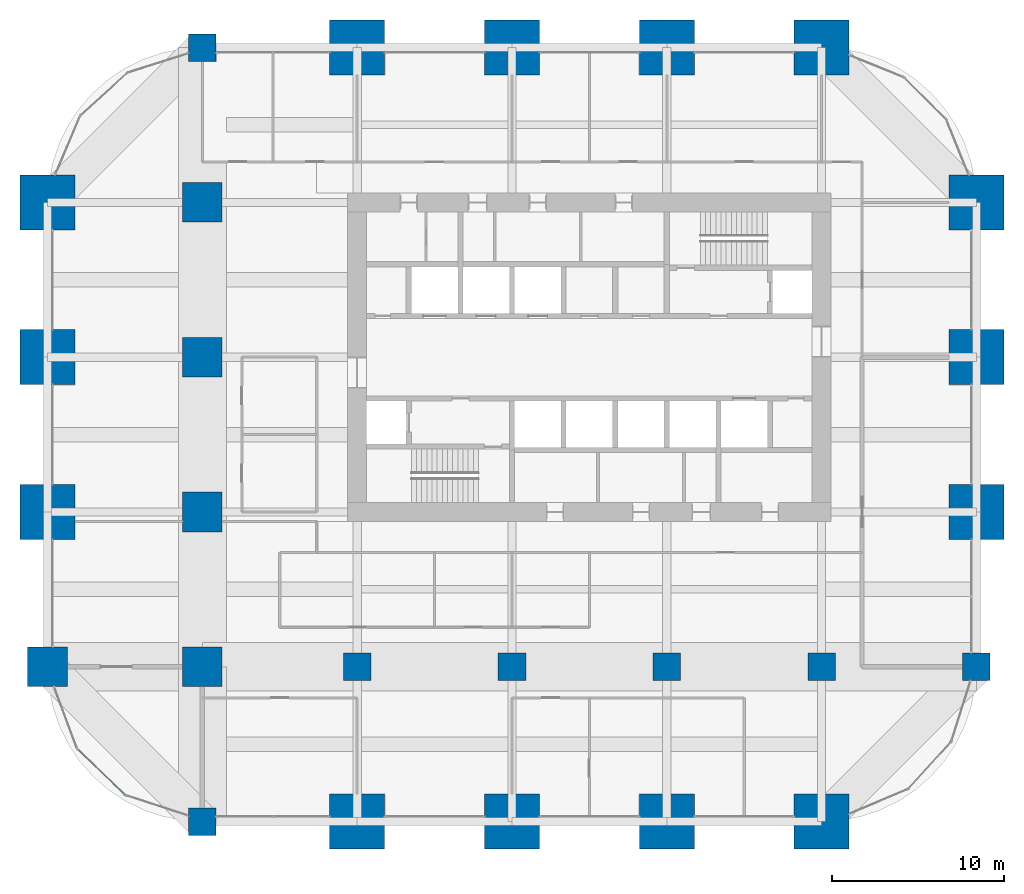
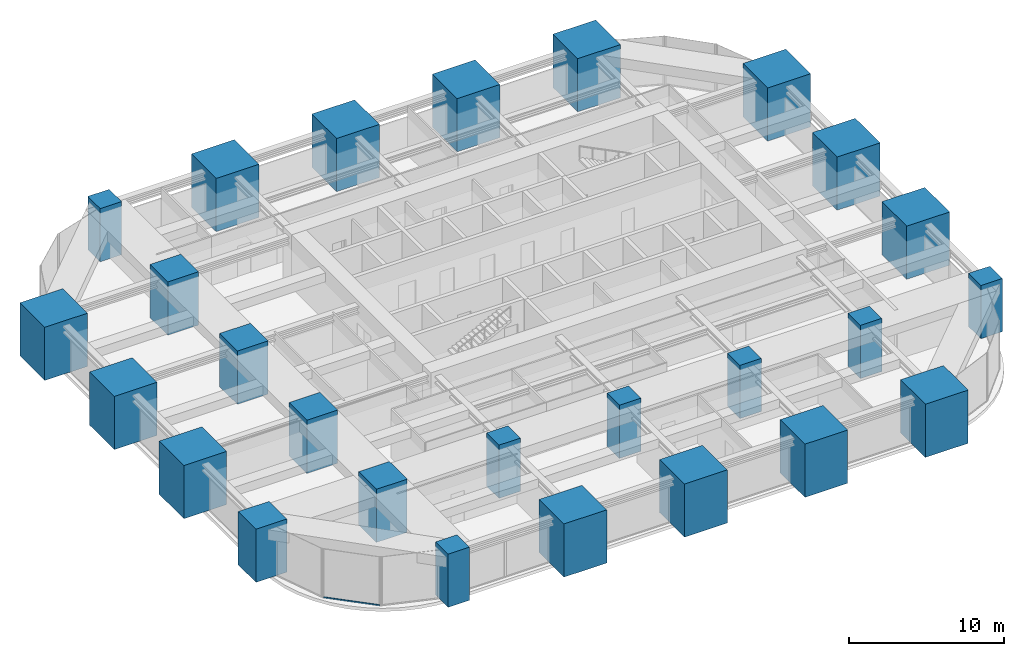
# One storey, part 1 of 39: 26 columns, 1 member, 1 element without a shape of its own.
"""IFC4 building model written with IfcOpenShell, lengths in metres."""

from ifc_helpers import new_model, si_unit, direction, frame, origin, origin_2d, place, context, subcontext, project, spatial, rectangle, hollow_rectangle, extrude, material, material_profile, profile_set, type_object, element, aggregate, save


model = new_model("IFC4")

# Units and contexts
model_context = context("Model", 3, precision=1e-05, world=origin(), true_north=direction((0.0, 1.0)))
body_context = subcontext(model_context, "Body", "Model", "MODEL_VIEW")
ifc_project = project(units=[si_unit("LENGTHUNIT", "METRE"), si_unit("AREAUNIT", "SQUARE_METRE"), si_unit("VOLUMEUNIT", "CUBIC_METRE"), si_unit("PLANEANGLEUNIT", "RADIAN"), si_unit("MASSUNIT", "GRAM", prefix="KILO")], contexts=[model_context])

# Site, building, storey
site_placement = place(None, origin())
site = spatial("IfcSite", under=ifc_project, at=site_placement, CompositionType="ELEMENT")
building_placement = place(site_placement, origin())
building = spatial("IfcBuilding", under=site, at=building_placement, Name="Zorevar Civic Tower", CompositionType="ELEMENT")
storey_placement = place(building_placement, frame((0.0, 0.0, 230.199951171875)))
storey = spatial("IfcBuildingStorey", under=building, at=storey_placement, Name="L56", CompositionType="ELEMENT", Elevation=230.199951171875)

# Columns
ifc_material_1 = material(Name="Concrete C50/60", Category="concrete")
ifc_material_profile_1 = material_profile(ifc_material_1, rectangle(XDim=1.60009765625, YDim=1.60009765625, at=origin_2d()), Name="RC 1600x1600")
ifc_profile_set_1 = profile_set([ifc_material_profile_1], Name="Concrete C50/60")
column_type_1 = type_object("IfcColumnType", Name="Column RC 1600x1600", PredefinedType="COLUMN", material=ifc_profile_set_1)
for number, where, z_axis, x_axis, name in (
    (1, (9.0, 0.0, 0.0), (0.0, 0.0, 1.0), (1.0, 0.0, 0.0), "Column 3A L56"),
    (2, (9.0, 45.0, 0.0), (0.0, 0.0, 1.0), (1.0, 0.0, 0.0), "Column 3F L56"),
    (3, (18.0, 9.0, 0.0), (0.0, 0.0, 1.0), (1.0, 0.0, 0.0), "Column 4B L56"),
    (4, (27.0, 9.0, 0.0), (0.0, 0.0, 1.0), (1.0, 0.0, 0.0), "Column 5B L56"),
    (5, (36.0, 9.0, 0.0), (0.0, 0.0, 1.0), (1.0, 0.0, 0.0), "Column 6B L56"),
    (6, (45.0, 9.0, 0.0), (0.0, 0.0, 1.0), (1.0, 0.0, 0.0), "Column 7B L56"),
    (7, (54.0, 9.0, 0.0), (0.0, 0.0, 1.0), (1.0, 0.0, 0.0), "Column 8B L56"),
):
    element("IfcColumn", number, at=place(storey_placement, frame(where, z_axis=z_axis, x_axis=x_axis)), inside=storey, type_object=column_type_1, Name=name, PredefinedType="COLUMN", context=body_context, shape_type="SweptSolid", body=[
        extrude(rectangle(XDim=1.60009765625, YDim=1.60009765625, at=origin_2d()), origin(), (0.0, 0.0, 1.0), 4.199951171875),
    ])
ifc_material_2 = material(Name="Concrete C50/60", Category="concrete")
ifc_material_profile_2 = material_profile(ifc_material_2, rectangle(XDim=2.300048828125, YDim=2.300048828125, at=origin_2d()), Name="RC 2300x2300")
ifc_profile_set_2 = profile_set([ifc_material_profile_2], Name="Concrete C50/60")
column_type_2 = type_object("IfcColumnType", Name="Column RC 2300x2300", PredefinedType="COLUMN", material=ifc_profile_set_2)
for number, where, z_axis, x_axis, name in (
    (8, (0.0, 9.0, 0.0), (0.0, 0.0, 1.0), (1.0, 0.0, 0.0), "Column 2B L56"),
    (9, (9.0, 9.0, 0.0), (0.0, 0.0, 1.0), (1.0, 0.0, 0.0), "Column 3B L56"),
    (10, (9.0, 18.0, 0.0), (0.0, 0.0, 1.0), (1.0, 0.0, 0.0), "Column 3C L56"),
    (11, (9.0, 27.0, 0.0), (0.0, 0.0, 1.0), (1.0, 0.0, 0.0), "Column 3D L56"),
    (12, (9.0, 36.0, 0.0), (0.0, 0.0, 1.0), (1.0, 0.0, 0.0), "Column 3E L56"),
):
    element("IfcColumn", number, at=place(storey_placement, frame(where, z_axis=z_axis, x_axis=x_axis)), inside=storey, type_object=column_type_2, Name=name, PredefinedType="COLUMN", context=body_context, shape_type="SweptSolid", body=[
        extrude(rectangle(XDim=2.300048828125, YDim=2.300048828125, at=origin_2d()), origin(), (0.0, 0.0, 1.0), 4.199951171875),
    ])
ifc_material_3 = material(Name="Concrete C50/60", Category="concrete")
ifc_material_profile_3 = material_profile(ifc_material_3, rectangle(XDim=3.199951171875, YDim=3.199951171875, at=origin_2d()), Name="RC 3200x3200")
ifc_profile_set_3 = profile_set([ifc_material_profile_3], Name="Concrete C50/60")
column_type_3 = type_object("IfcColumnType", Name="Mega column RC 3200x3200", PredefinedType="COLUMN", material=ifc_profile_set_3)
for number, where, z_axis, x_axis, name in (
    (13, (0.0, 18.0, 0.0), (0.0, 0.0, 1.0), (1.0, 0.0, 0.0), "Column 2C L56"),
    (14, (0.0, 27.0, 0.0), (0.0, 0.0, 1.0), (1.0, 0.0, 0.0), "Column 2D L56"),
    (15, (0.0, 36.0, 0.0), (0.0, 0.0, 1.0), (1.0, 0.0, 0.0), "Column 2E L56"),
    (16, (18.0, 0.0, 0.0), (0.0, 0.0, 1.0), (1.0, 0.0, 0.0), "Column 4A L56"),
    (17, (18.0, 45.0, 0.0), (0.0, 0.0, 1.0), (1.0, 0.0, 0.0), "Column 4F L56"),
    (18, (27.0, 0.0, 0.0), (0.0, 0.0, 1.0), (1.0, 0.0, 0.0), "Column 5A L56"),
    (19, (27.0, 45.0, 0.0), (0.0, 0.0, 1.0), (1.0, 0.0, 0.0), "Column 5F L56"),
    (20, (36.0, 0.0, 0.0), (0.0, 0.0, 1.0), (1.0, 0.0, 0.0), "Column 6A L56"),
    (21, (36.0, 45.0, 0.0), (0.0, 0.0, 1.0), (1.0, 0.0, 0.0), "Column 6F L56"),
    (22, (45.0, 0.0, 0.0), (0.0, 0.0, 1.0), (1.0, 0.0, 0.0), "Column 7A L56"),
    (23, (45.0, 45.0, 0.0), (0.0, 0.0, 1.0), (1.0, 0.0, 0.0), "Column 7F L56"),
    (24, (54.0, 18.0, 0.0), (0.0, 0.0, 1.0), (1.0, 0.0, 0.0), "Column 8C L56"),
    (25, (54.0, 27.0, 0.0), (0.0, 0.0, 1.0), (1.0, 0.0, 0.0), "Column 8D L56"),
    (26, (54.0, 36.0, 0.0), (0.0, 0.0, 1.0), (1.0, 0.0, 0.0), "Column 8E L56"),
):
    element("IfcColumn", number, at=place(storey_placement, frame(where, z_axis=z_axis, x_axis=x_axis)), inside=storey, type_object=column_type_3, Name=name, PredefinedType="COLUMN", context=body_context, shape_type="SweptSolid", body=[
        extrude(rectangle(XDim=3.199951171875, YDim=3.199951171875, at=origin_2d()), origin(), (0.0, 0.0, 1.0), 4.199951171875),
    ])

# Curtain wall, member
ifc_material_4 = material(Name="Dark grey solar-control glass in black aluminium frame", Category="aluminium")
curtain_wall_type = type_object("IfcCurtainWallType", Name="Curtain wall CW4 high zone", PredefinedType="NOTDEFINED", material=ifc_material_4)
curtain_wall_placement = place(storey_placement, origin())
curtain_wall = element("IfcCurtainWall", 27, at=curtain_wall_placement, inside=storey, type_object=curtain_wall_type, Name="CW4 L56", PredefinedType="NOTDEFINED")
ifc_material_5 = material(Name="Aluminium, black anodised", Category="aluminium")
ifc_material_profile_4 = material_profile(ifc_material_5, hollow_rectangle(XDim=0.06005859375, YDim=0.1201171875, WallThickness=0.0029296875, at=origin_2d()), Name="AL 120x60x3")
ifc_profile_set_4 = profile_set([ifc_material_profile_4], Name="Aluminium, black anodised")
member_type = type_object("IfcMemberType", Name="CW4 transom AL 120x60x3", PredefinedType="USERDEFINED", material=ifc_profile_set_4)
member_placement = place(storey_placement, frame((1.772216796875, 4.181396484375, 0.030029296875), z_axis=(0.721248145135, -0.692676773928, 0.0), x_axis=(0.692676773928, 0.721248145135, 0.0)))
member = element("IfcMember", 28, at=member_placement, type_object=member_type, Name="CW4 sill transom", ObjectType="TRANSOM", PredefinedType="USERDEFINED", context=body_context, shape_type="SweptSolid", body=[
    extrude(hollow_rectangle(XDim=0.06005859375, YDim=0.1201171875, WallThickness=0.0029296875, at=origin_2d()), origin(), (0.0, 0.0, 1.0), 3.751220703125),
])
aggregate(curtain_wall, [member])

save(model, "model.ifc")
